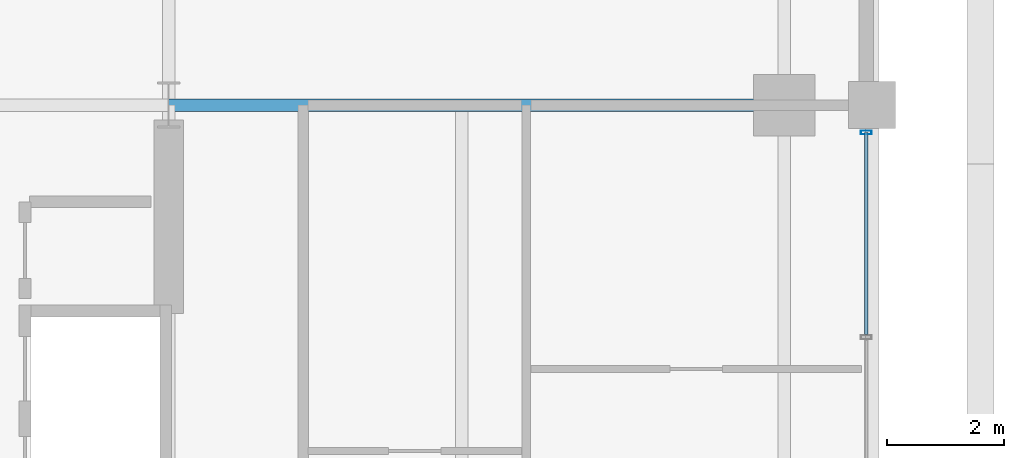
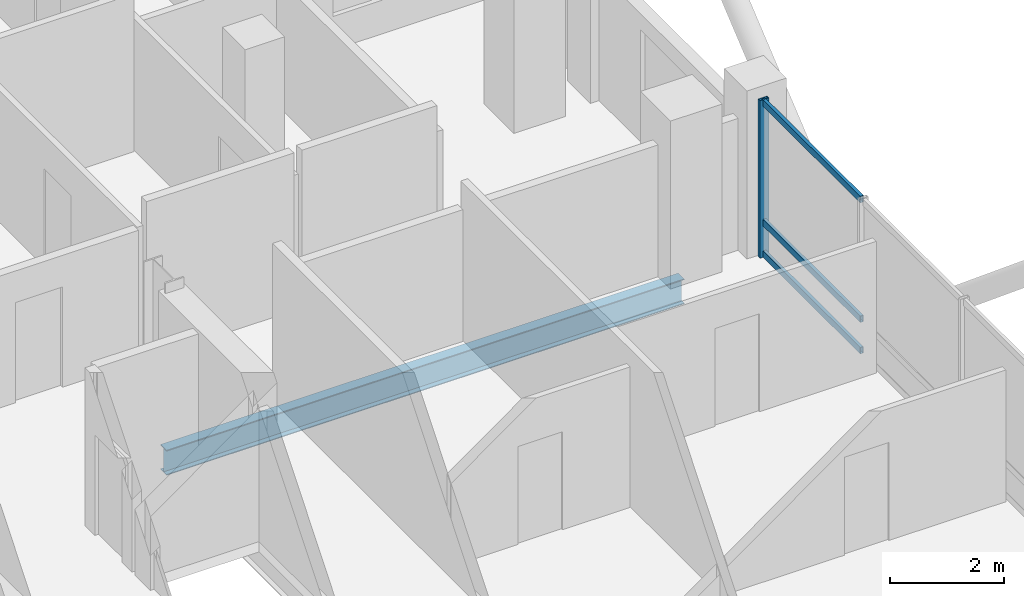
# One storey, part 11 of 24: 4 members, 1 beam, 1 element without a shape of its own.
"""IFC4 building model written with IfcOpenShell, lengths in metres."""

from ifc_helpers import new_model, si_unit, direction, frame, origin, origin_2d, place, context, subcontext, project, spatial, hollow_rectangle, i_section, extrude, material, layer, layer_set, material_profile, profile_set, type_object, element, aggregate, save


model = new_model("IFC4")

# Units and contexts
model_context = context("Model", 3, precision=1e-05, world=origin(), true_north=direction((0.0, 1.0)))
body_context = subcontext(model_context, "Body", "Model", "MODEL_VIEW")
ifc_project = project(units=[si_unit("LENGTHUNIT", "METRE"), si_unit("AREAUNIT", "SQUARE_METRE"), si_unit("VOLUMEUNIT", "CUBIC_METRE"), si_unit("PLANEANGLEUNIT", "RADIAN"), si_unit("MASSUNIT", "GRAM", prefix="KILO")], contexts=[model_context])

# Site, building, storey
site_placement = place(None, origin())
site = spatial("IfcSite", under=ifc_project, at=site_placement, CompositionType="ELEMENT")
building_placement = place(site_placement, origin())
building = spatial("IfcBuilding", under=site, at=building_placement, Name="Barlavira Tower and Art Museum", CompositionType="ELEMENT")
storey_placement = place(building_placement, frame((0.0, 0.0, 172.800048828125)))
storey = spatial("IfcBuildingStorey", under=building, at=storey_placement, Name="L44", CompositionType="ELEMENT", Elevation=172.800048828125)

# Curtain wall, members
ifc_material_1 = material(Name="Low-iron coastal laminated glass", Category="glass")
ifc_layer = layer(ifc_material_1, 0.199951171875, Name="Low-iron coastal laminated glass")
ifc_layer_set = layer_set([ifc_layer], Name="Low-iron coastal laminated glass")
curtain_wall_type = type_object("IfcCurtainWallType", Name="Pale-Metal Unitised Curtain Wall Zone 3", PredefinedType="NOTDEFINED", material=ifc_layer_set)
curtain_wall_placement = place(storey_placement, origin())
curtain_wall = element("IfcCurtainWall", 1, at=curtain_wall_placement, inside=storey, type_object=curtain_wall_type, Name="L44 Curtain Wall CW3-L44-E-B3", PredefinedType="NOTDEFINED")
ifc_material_2 = material(Name="Pale anodised aluminium", Category="aluminium")
ifc_material_profile_1 = material_profile(ifc_material_2, hollow_rectangle(XDim=0.06494140625, YDim=0.179931640625, WallThickness=0.00390625, at=origin_2d()), Name="ALU-MULL 65x180x4")
ifc_profile_set_1 = profile_set([ifc_material_profile_1], Name="Pale anodised aluminium")
member_type_1 = type_object("IfcMemberType", Name="Curtain Wall Pale-Metal Mullion 65x180", PredefinedType="MULLION", material=ifc_profile_set_1)
member_1_placement = place(storey_placement, frame((18.39990234375, 7.034912109375, 0.0), z_axis=(0.0, 0.0, 1.0), x_axis=(0.0, 1.0, 0.0)))
member_1 = element("IfcMember", 2, at=member_1_placement, type_object=member_type_1, Name="CW3-L44-E-B3 Mullion 4", PredefinedType="MULLION", context=body_context, shape_type="SweptSolid", body=[
    extrude(hollow_rectangle(XDim=0.06494140625, YDim=0.179931640625, WallThickness=0.00390625, at=origin_2d()), origin(), (0.0, 0.0, 1.0), 3.3798828125),
])
ifc_material_profile_2 = material_profile(ifc_material_2, hollow_rectangle(XDim=0.06494140625, YDim=0.139892578125, WallThickness=0.00390625, at=origin_2d()), Name="ALU-TRAN 65x140x4")
ifc_profile_set_2 = profile_set([ifc_material_profile_2], Name="Pale anodised aluminium")
member_type_2 = type_object("IfcMemberType", Name="Curtain Wall Pale-Metal Transom 65x140", PredefinedType="USERDEFINED", material=ifc_profile_set_2)
member_2_placement = place(storey_placement, frame((18.39990234375, 3.5849609375, 0.070068359375), z_axis=(0.0, 1.0, 0.0), x_axis=(-1.0, 0.0, 0.0)))
member_2 = element("IfcMember", 3, at=member_2_placement, type_object=member_type_2, Name="CW3-L44-E-B3 Transom 3.1", ObjectType="TRANSOM", PredefinedType="USERDEFINED", context=body_context, shape_type="SweptSolid", body=[
    extrude(hollow_rectangle(XDim=0.06494140625, YDim=0.139892578125, WallThickness=0.00390625, at=origin_2d()), origin(), (0.0, 0.0, 1.0), 3.449951171875),
])
member_3_placement = place(storey_placement, frame((18.39990234375, 3.5849609375, 0.743896484375), z_axis=(0.0, 1.0, 0.0), x_axis=(-1.0, 0.0, 0.0)))
member_3 = element("IfcMember", 4, at=member_3_placement, type_object=member_type_2, Name="CW3-L44-E-B3 Transom 3.2", ObjectType="TRANSOM", PredefinedType="USERDEFINED", context=body_context, shape_type="SweptSolid", body=[
    extrude(hollow_rectangle(XDim=0.06494140625, YDim=0.139892578125, WallThickness=0.00390625, at=origin_2d()), origin(), (0.0, 0.0, 1.0), 3.449951171875),
])
member_4_placement = place(storey_placement, frame((18.39990234375, 3.5849609375, 3.31005859375), z_axis=(0.0, 1.0, 0.0), x_axis=(-1.0, 0.0, 0.0)))
member_4 = element("IfcMember", 5, at=member_4_placement, type_object=member_type_2, Name="CW3-L44-E-B3 Transom 3.3", ObjectType="TRANSOM", PredefinedType="USERDEFINED", context=body_context, shape_type="SweptSolid", body=[
    extrude(hollow_rectangle(XDim=0.06494140625, YDim=0.139892578125, WallThickness=0.00390625, at=origin_2d()), origin(), (0.0, 0.0, 1.0), 3.449951171875),
])
aggregate(curtain_wall, [member_1, member_2, member_3, member_4])

# Beam
ifc_material_3 = material(Name="Steel S355", Category="steel")
ifc_material_profile_3 = material_profile(ifc_material_3, i_section(OverallWidth=0.2109375, OverallDepth=0.5390625, WebThickness=0.01171875, FlangeThickness=0.018798828125, at=origin_2d()), Name="W530x109.0")
ifc_profile_set_3 = profile_set([ifc_material_profile_3], Name="Steel S355")
beam_type = type_object("IfcBeamType", Name="Zone 3-4 Primary Floor Girder W530x109 Steel S355", PredefinedType="BEAM", material=ifc_profile_set_3)
beam_placement = place(storey_placement, frame((6.5, 7.5, -0.489501953125), z_axis=(1.0, 0.0, 0.0), x_axis=(0.0, 1.0, 0.0)))
element("IfcBeam", 6, at=beam_placement, inside=storey, type_object=beam_type, Name="L44 Girder R-E2", PredefinedType="BEAM", context=body_context, shape_type="SweptSolid", body=[
    extrude(i_section(OverallWidth=0.2109375, OverallDepth=0.5390625, WebThickness=0.01171875, FlangeThickness=0.018798828125, at=origin_2d()), origin(), (0.0, 0.0, 1.0), 10.5),
])

save(model, "model.ifc")
